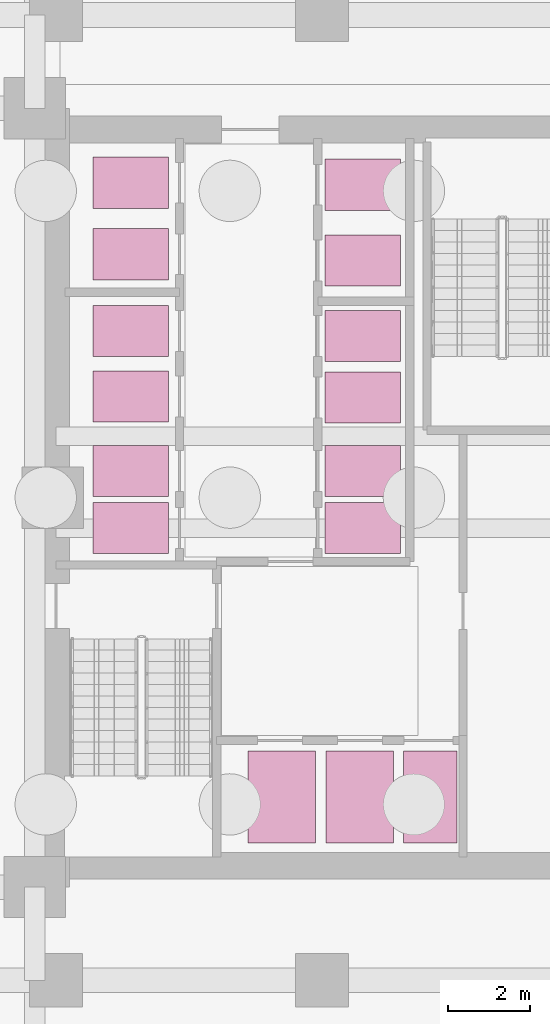
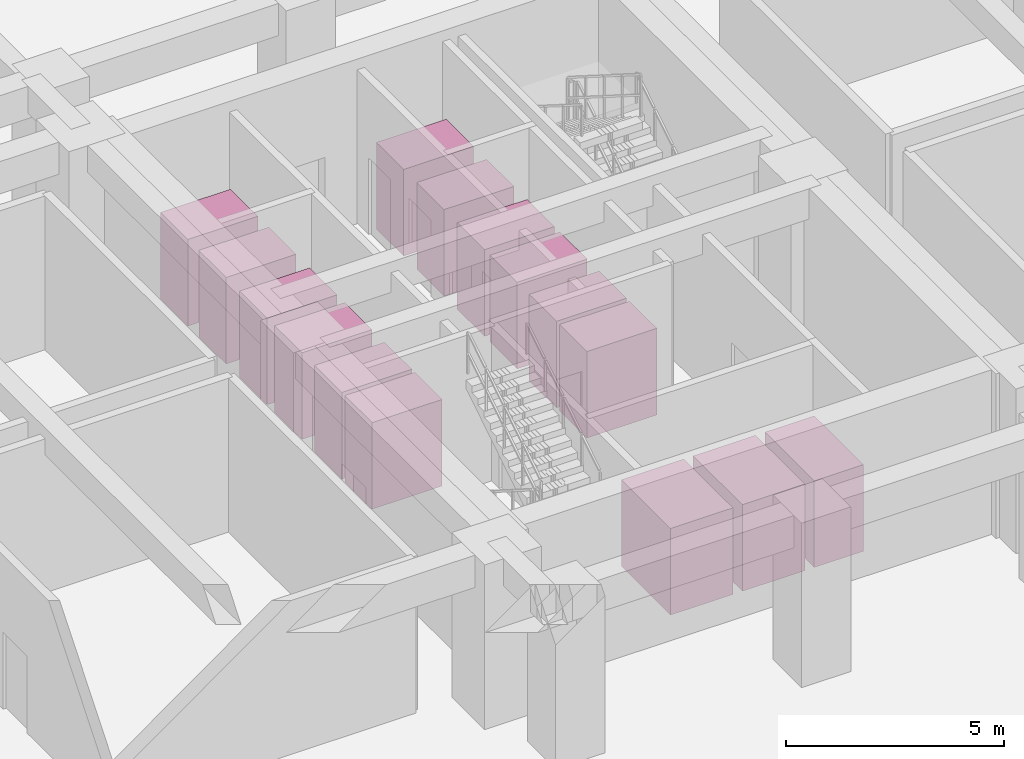
# One storey, part 14 of 14: 15 transport elements.
"""IFC4 building model written with IfcOpenShell, lengths in metres."""

from ifc_helpers import new_model, si_unit, direction, frame, origin, origin_2d, place, context, subcontext, project, spatial, rectangle, extrude, source, transform, mapped, material, type_object, element, save


model = new_model("IFC4")

# Units and contexts
model_context = context("Model", 3, precision=1e-05, world=origin(), true_north=direction((0.0, 1.0)))
body_context = subcontext(model_context, "Body", "Model", "MODEL_VIEW")
ifc_project = project(units=[si_unit("LENGTHUNIT", "METRE"), si_unit("AREAUNIT", "SQUARE_METRE"), si_unit("VOLUMEUNIT", "CUBIC_METRE"), si_unit("PLANEANGLEUNIT", "RADIAN"), si_unit("MASSUNIT", "GRAM", prefix="KILO")], contexts=[model_context])

# Site, building, storey
site_placement = place(None, origin())
site = spatial("IfcSite", under=ifc_project, at=site_placement, CompositionType="ELEMENT")
building_placement = place(site_placement, origin())
building = spatial("IfcBuilding", under=site, at=building_placement, Name="Saelheon Loggia Tower", CompositionType="ELEMENT")
storey_placement = place(building_placement, frame((0.0, 0.0, -9.199951171875)))
storey = spatial("IfcBuildingStorey", under=building, at=storey_placement, Name="B2", CompositionType="ELEMENT", Elevation=-9.199951171875)

# Transport elements
ifc_material = material(Name="Stainless Steel 304", Category="steel")
transport_element_type_1 = type_object("IfcTransportElementType", Name="Lift_Passenger_1600", PredefinedType="ELEVATOR", material=ifc_material)
shared_shape_1 = source(origin(), body_context, "Body", "SweptSolid", [
    extrude(rectangle(XDim=1.85009765625, YDim=1.25, at=origin_2d()), origin(), (0.0, 0.0, 1.0), 2.419921875),
])
for number, where, z_axis, x_axis, name in (
    (1, (33.324951171875, 26.260009765625, 0.0), (0.0, 0.0, 1.0), (1.0, 0.0, 0.0), "Low-Rise Passenger Lift PL1 (PL1)"),
    (2, (33.324951171875, 27.64990234375, 0.0), (0.0, 0.0, 1.0), (1.0, 0.0, 0.0), "Low-Rise Passenger Lift PL2 (PL2)"),
    (3, (33.324951171875, 29.47509765625, 0.0), (0.0, 0.0, 1.0), (1.0, 0.0, 0.0), "Low-Rise Passenger Lift PL3 (PL3)"),
    (4, (33.324951171875, 31.074951171875, 0.0), (0.0, 0.0, 1.0), (1.0, 0.0, 0.0), "Low-Rise Passenger Lift PL4 (PL4)"),
    (5, (39.0, 26.260009765625, 0.0), (0.0, 0.0, 1.0), (1.0, 0.0, 0.0), "Mid-Rise Passenger Lift PM1 (PM1)"),
    (6, (39.0, 27.64990234375, 0.0), (0.0, 0.0, 1.0), (1.0, 0.0, 0.0), "Mid-Rise Passenger Lift PM2 (PM2)"),
    (7, (39.0, 29.449951171875, 0.0), (0.0, 0.0, 1.0), (1.0, 0.0, 0.0), "Mid-Rise Passenger Lift PM3 (PM3)"),
    (8, (39.0, 30.949951171875, 0.0), (0.0, 0.0, 1.0), (1.0, 0.0, 0.0), "Mid-Rise Passenger Lift PM4 (PM4)"),
):
    element("IfcTransportElement", number, at=place(storey_placement, frame(where, z_axis=z_axis, x_axis=x_axis)), inside=storey, type_object=transport_element_type_1, Name=name, PredefinedType="ELEVATOR", context=body_context, shape_type="MappedRepresentation", body=[
        mapped(shared_shape_1, transform((0.0, 0.0, 0.0), scale=1.0)),
    ])
transport_element_type_2 = type_object("IfcTransportElementType", Name="Lift_Passenger_1800", PredefinedType="ELEVATOR", material=ifc_material)
for number, where, z_axis, x_axis, name in (
    (9, (33.324951171875, 32.949951171875, 0.0), (0.0, 0.0, 1.0), (1.0, 0.0, 0.0), "High-Rise Passenger Lift PH1 (PH1)"),
    (10, (33.324951171875, 34.699951171875, 0.0), (0.0, 0.0, 1.0), (1.0, 0.0, 0.0), "High-Rise Passenger Lift PH2 (PH2)"),
    (11, (39.0, 32.800048828125, 0.0), (0.0, 0.0, 1.0), (1.0, 0.0, 0.0), "High-Rise Passenger Lift PH3 (PH3)"),
    (12, (39.0, 34.64990234375, 0.0), (0.0, 0.0, 1.0), (1.0, 0.0, 0.0), "High-Rise Passenger Lift PH4 (PH4)"),
):
    element("IfcTransportElement", number, at=place(storey_placement, frame(where, z_axis=z_axis, x_axis=x_axis)), inside=storey, type_object=transport_element_type_2, Name=name, PredefinedType="ELEVATOR", context=body_context, shape_type="MappedRepresentation", body=[
        mapped(shared_shape_1, transform((0.0, 0.0, 0.0), scale=1.0)),
    ])
transport_element_type_3 = type_object("IfcTransportElementType", Name="Lift_Firefighting_2000", PredefinedType="ELEVATOR", material=ifc_material)
shared_shape_2 = source(origin(), body_context, "Body", "SweptSolid", [
    extrude(rectangle(XDim=1.64990234375, YDim=2.25, at=origin_2d()), origin(), (0.0, 0.0, 1.0), 2.419921875),
])
for number, where, z_axis, x_axis, name in (
    (13, (37.02490234375, 19.68505859375, 0.0), (0.0, 0.0, 1.0), (1.0, 0.0, 0.0), "Emergency Firefighting and Evacuation Lift FF1 (FF1)"),
    (14, (38.925048828125, 19.68505859375, 0.0), (0.0, 0.0, 1.0), (1.0, 0.0, 0.0), "Emergency Firefighting and Evacuation Lift FF2 (FF2)"),
):
    element("IfcTransportElement", number, at=place(storey_placement, frame(where, z_axis=z_axis, x_axis=x_axis)), inside=storey, type_object=transport_element_type_3, Name=name, PredefinedType="ELEVATOR", context=body_context, shape_type="MappedRepresentation", body=[
        mapped(shared_shape_2, transform((0.0, 0.0, 0.0), scale=1.0)),
    ])
transport_element_type_4 = type_object("IfcTransportElementType", Name="Lift_Stretcher_2500", PredefinedType="ELEVATOR", material=ifc_material)
shared_shape_3 = source(origin(), body_context, "Body", "SweptSolid", [
    extrude(rectangle(XDim=1.300048828125, YDim=2.25, at=origin_2d()), origin(), (0.0, 0.0, 1.0), 2.419921875),
])
transport_element_placement = place(storey_placement, frame((40.64990234375, 19.68505859375, 0.0), z_axis=(0.0, 0.0, 1.0), x_axis=(1.0, 0.0, 0.0)))
element("IfcTransportElement", 15, at=transport_element_placement, inside=storey, type_object=transport_element_type_4, Name="Stretcher and Service Goods Lift SV1 (SV1)", PredefinedType="ELEVATOR", context=body_context, shape_type="MappedRepresentation", body=[
    mapped(shared_shape_3, transform((0.0, 0.0, 0.0), scale=1.0)),
])

save(model, "model.ifc")
